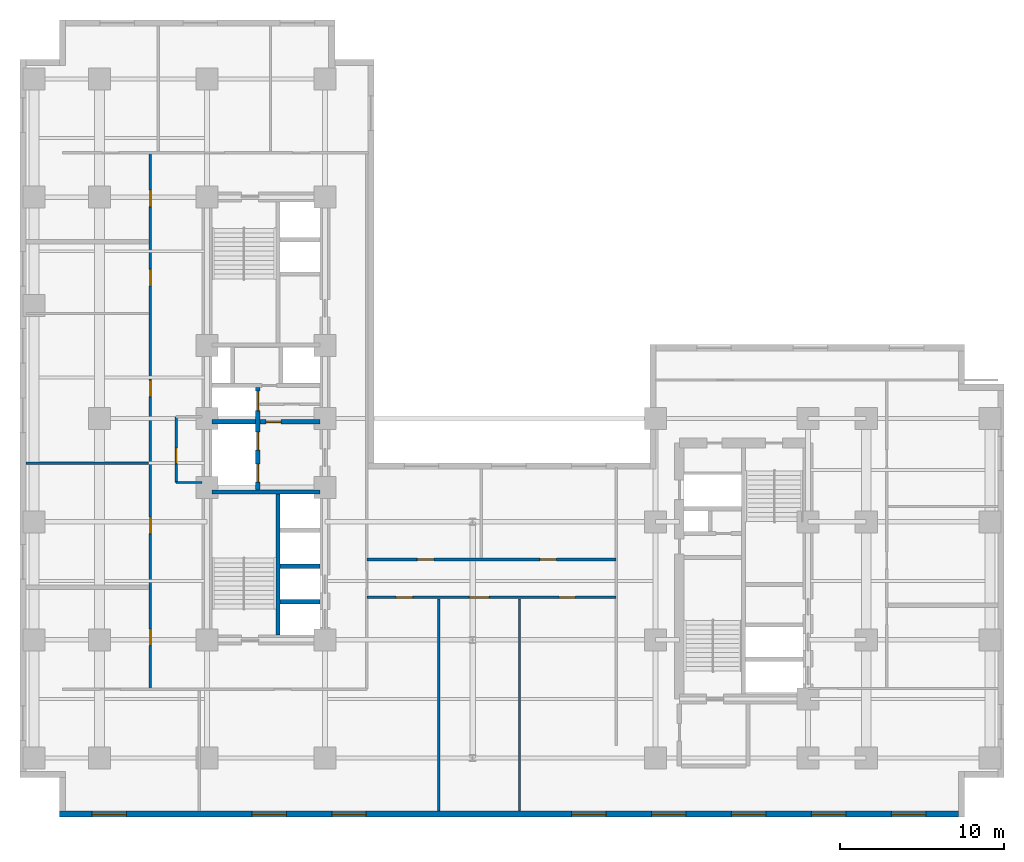
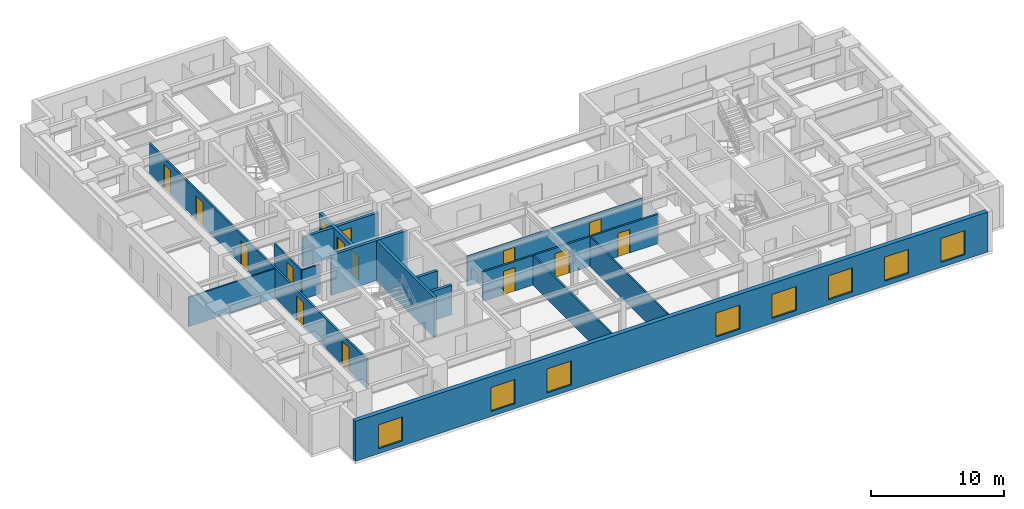
# One storey, part 3 of 9: 15 doors, 15 walls, 8 windows, 23 openings.
"""IFC4 building model written with IfcOpenShell, lengths in metres."""

from ifc_helpers import new_model, entity, si_unit, converted_unit, direction, frame, origin_with_axes, origin_2d_with_axis, place, context, subcontext, project, spatial, polyline, rectangle, outline, extrude, material, layer, layer_set, type_object, element, fill, save


model = new_model("IFC4")

# Units and contexts
model_context = context("Model", 3, precision=1e-05, world=origin_with_axes(), true_north=direction((0.0, 1.0)))
body_context = subcontext(model_context, "Body", "Model", "MODEL_VIEW")
ifc_project = project(units=[si_unit("LENGTHUNIT", "METRE"), si_unit("AREAUNIT", "SQUARE_METRE"), si_unit("VOLUMEUNIT", "CUBIC_METRE"), converted_unit("PLANEANGLEUNIT", "DEGREE", entity("IfcPlaneAngleMeasure", 0.017453292519943295), si_unit("PLANEANGLEUNIT", "RADIAN"), dimensions=[0, 0, 0, 0, 0, 0, 0]), si_unit("MASSUNIT", "GRAM", prefix="KILO"), si_unit("THERMODYNAMICTEMPERATUREUNIT", "KELVIN")], contexts=[model_context])

# Site, building, storey
site_placement = place(None, origin_with_axes())
site = spatial("IfcSite", under=ifc_project, at=site_placement, CompositionType="ELEMENT")
building_placement = place(site_placement, origin_with_axes())
building = spatial("IfcBuilding", under=site, at=building_placement, Name="Varnlund Millrace Tower", CompositionType="ELEMENT")
storey_placement = place(building_placement, frame((0.0, 0.0, 56.1), z_axis=(0.0, 0.0, 1.0), x_axis=(1.0, 0.0, 0.0)))
storey = spatial("IfcBuildingStorey", under=building, at=storey_placement, Name="L13", CompositionType="ELEMENT", Elevation=56.1)

# Wall, openings, windows
ifc_material_1 = material(Name="Precast concrete C50/60", Category="concrete")
ifc_layer_1 = layer(ifc_material_1, 0.38, Name="Precast concrete C50/60")
ifc_layer_set_1 = layer_set([ifc_layer_1], Name="Precast concrete C50/60")
wall_type_1 = type_object("IfcWallType", Name="Type-ExtWall-Precast-Tube-380", PredefinedType="SOLIDWALL", material=ifc_layer_set_1)
wall_1_placement = place(storey_placement, frame((57.22, 0.19, 0.0), z_axis=(0.0, 0.0, 1.0), x_axis=(-1.0, 0.0, 0.0)))
wall_1 = element("IfcWall", 1, at=wall_1_placement, inside=storey, type_object=wall_type_1, Name="Type-ExtWall-Precast-Tube-380", PredefinedType="SOLIDWALL", context=body_context, shape_type="SweptSolid", body=[
    extrude(outline(polyline([(0.0, -0.19), (54.82, -0.19), (54.82, 0.19), (0.0, 0.19), (0.0, -0.19)])), origin_with_axes(), (0.0, 0.0, 1.0), 3.66),
])
opening_1_placement = place(wall_1_placement, frame((3.037, 0.0, 0.45), z_axis=(0.0, 0.0, 1.0), x_axis=(1.0, 0.0, 0.0)))
opening_1 = element("IfcOpeningElement", 2, at=opening_1_placement, cuts=wall_1, Name="Opening L13:WN-06", PredefinedType="OPENING", context=body_context, shape_type="SweptSolid", body=[
    extrude(rectangle(XDim=2.1, YDim=0.4, at=origin_2d_with_axis()), origin_with_axes(), (0.0, 0.0, 1.0), 2.2),
])
opening_2_placement = place(wall_1_placement, frame((7.912, 0.0, 0.45), z_axis=(0.0, 0.0, 1.0), x_axis=(1.0, 0.0, 0.0)))
opening_2 = element("IfcOpeningElement", 3, at=opening_2_placement, cuts=wall_1, Name="Opening L13:WN-07", PredefinedType="OPENING", context=body_context, shape_type="SweptSolid", body=[
    extrude(rectangle(XDim=2.1, YDim=0.4, at=origin_2d_with_axis()), origin_with_axes(), (0.0, 0.0, 1.0), 2.2),
])
opening_3_placement = place(wall_1_placement, frame((12.786, 0.0, 0.45), z_axis=(0.0, 0.0, 1.0), x_axis=(1.0, 0.0, 0.0)))
opening_3 = element("IfcOpeningElement", 4, at=opening_3_placement, cuts=wall_1, Name="Opening L13:WN-08", PredefinedType="OPENING", context=body_context, shape_type="SweptSolid", body=[
    extrude(rectangle(XDim=2.1, YDim=0.4, at=origin_2d_with_axis()), origin_with_axes(), (0.0, 0.0, 1.0), 2.2),
])
opening_4_placement = place(wall_1_placement, frame((17.661, 0.0, 0.45), z_axis=(0.0, 0.0, 1.0), x_axis=(1.0, 0.0, 0.0)))
opening_4 = element("IfcOpeningElement", 5, at=opening_4_placement, cuts=wall_1, Name="Opening L13:WN-09", PredefinedType="OPENING", context=body_context, shape_type="SweptSolid", body=[
    extrude(rectangle(XDim=2.1, YDim=0.4, at=origin_2d_with_axis()), origin_with_axes(), (0.0, 0.0, 1.0), 2.2),
])
opening_5_placement = place(wall_1_placement, frame((22.535, 0.0, 0.45), z_axis=(0.0, 0.0, 1.0), x_axis=(1.0, 0.0, 0.0)))
opening_5 = element("IfcOpeningElement", 6, at=opening_5_placement, cuts=wall_1, Name="Opening L13:WN-10", PredefinedType="OPENING", context=body_context, shape_type="SweptSolid", body=[
    extrude(rectangle(XDim=2.1, YDim=0.4, at=origin_2d_with_axis()), origin_with_axes(), (0.0, 0.0, 1.0), 2.2),
])
opening_6_placement = place(wall_1_placement, frame((37.159, 0.0, 0.45), z_axis=(0.0, 0.0, 1.0), x_axis=(1.0, 0.0, 0.0)))
opening_6 = element("IfcOpeningElement", 7, at=opening_6_placement, cuts=wall_1, Name="Opening L13:WN-11", PredefinedType="OPENING", context=body_context, shape_type="SweptSolid", body=[
    extrude(rectangle(XDim=2.1, YDim=0.4, at=origin_2d_with_axis()), origin_with_axes(), (0.0, 0.0, 1.0), 2.2),
])
opening_7_placement = place(wall_1_placement, frame((42.034, 0.0, 0.45), z_axis=(0.0, 0.0, 1.0), x_axis=(1.0, 0.0, 0.0)))
opening_7 = element("IfcOpeningElement", 8, at=opening_7_placement, cuts=wall_1, Name="Opening L13:WN-12", PredefinedType="OPENING", context=body_context, shape_type="SweptSolid", body=[
    extrude(rectangle(XDim=2.1, YDim=0.4, at=origin_2d_with_axis()), origin_with_axes(), (0.0, 0.0, 1.0), 2.2),
])
opening_8_placement = place(wall_1_placement, frame((51.783, 0.0, 0.45), z_axis=(0.0, 0.0, 1.0), x_axis=(1.0, 0.0, 0.0)))
opening_8 = element("IfcOpeningElement", 9, at=opening_8_placement, cuts=wall_1, Name="Opening L13:WN-13", PredefinedType="OPENING", context=body_context, shape_type="SweptSolid", body=[
    extrude(rectangle(XDim=2.1, YDim=0.4, at=origin_2d_with_axis()), origin_with_axes(), (0.0, 0.0, 1.0), 2.2),
])
ifc_material_2 = material(Name="Argon low-e triple glazing in thermally broken bronze frame", Category="glass")
window_type = type_object("IfcWindowType", Name="Type-Window-Punched-2100X2200", PartitioningType="SINGLE_PANEL", PredefinedType="WINDOW", material=ifc_material_2)
window_1_placement = place(wall_1_placement, frame((3.037, 0.0, 0.45), z_axis=(0.0, 0.0, 1.0), x_axis=(1.0, 0.0, 0.0)))
window_1 = element("IfcWindow", 10, at=window_1_placement, inside=storey, type_object=window_type, Name="Type-Window-Punched-2100X2200", OverallHeight=2.2, OverallWidth=2.1, PredefinedType="WINDOW", context=body_context, shape_type="SweptSolid", body=[
    extrude(rectangle(XDim=2.1, YDim=0.09, at=origin_2d_with_axis()), origin_with_axes(), (0.0, 0.0, 1.0), 2.2),
])
fill(opening_1, window_1)
window_2_placement = place(wall_1_placement, frame((7.912, 0.0, 0.45), z_axis=(0.0, 0.0, 1.0), x_axis=(1.0, 0.0, 0.0)))
window_2 = element("IfcWindow", 11, at=window_2_placement, inside=storey, type_object=window_type, Name="Type-Window-Punched-2100X2200", OverallHeight=2.2, OverallWidth=2.1, PredefinedType="WINDOW", context=body_context, shape_type="SweptSolid", body=[
    extrude(rectangle(XDim=2.1, YDim=0.09, at=origin_2d_with_axis()), origin_with_axes(), (0.0, 0.0, 1.0), 2.2),
])
fill(opening_2, window_2)
window_3_placement = place(wall_1_placement, frame((12.786, 0.0, 0.45), z_axis=(0.0, 0.0, 1.0), x_axis=(1.0, 0.0, 0.0)))
window_3 = element("IfcWindow", 12, at=window_3_placement, inside=storey, type_object=window_type, Name="Type-Window-Punched-2100X2200", OverallHeight=2.2, OverallWidth=2.1, PredefinedType="WINDOW", context=body_context, shape_type="SweptSolid", body=[
    extrude(rectangle(XDim=2.1, YDim=0.09, at=origin_2d_with_axis()), origin_with_axes(), (0.0, 0.0, 1.0), 2.2),
])
fill(opening_3, window_3)
window_4_placement = place(wall_1_placement, frame((17.661, 0.0, 0.45), z_axis=(0.0, 0.0, 1.0), x_axis=(1.0, 0.0, 0.0)))
window_4 = element("IfcWindow", 13, at=window_4_placement, inside=storey, type_object=window_type, Name="Type-Window-Punched-2100X2200", OverallHeight=2.2, OverallWidth=2.1, PredefinedType="WINDOW", context=body_context, shape_type="SweptSolid", body=[
    extrude(rectangle(XDim=2.1, YDim=0.09, at=origin_2d_with_axis()), origin_with_axes(), (0.0, 0.0, 1.0), 2.2),
])
fill(opening_4, window_4)
window_5_placement = place(wall_1_placement, frame((22.535, 0.0, 0.45), z_axis=(0.0, 0.0, 1.0), x_axis=(1.0, 0.0, 0.0)))
window_5 = element("IfcWindow", 14, at=window_5_placement, inside=storey, type_object=window_type, Name="Type-Window-Punched-2100X2200", OverallHeight=2.2, OverallWidth=2.1, PredefinedType="WINDOW", context=body_context, shape_type="SweptSolid", body=[
    extrude(rectangle(XDim=2.1, YDim=0.09, at=origin_2d_with_axis()), origin_with_axes(), (0.0, 0.0, 1.0), 2.2),
])
fill(opening_5, window_5)
window_6_placement = place(wall_1_placement, frame((37.159, 0.0, 0.45), z_axis=(0.0, 0.0, 1.0), x_axis=(1.0, 0.0, 0.0)))
window_6 = element("IfcWindow", 15, at=window_6_placement, inside=storey, type_object=window_type, Name="Type-Window-Punched-2100X2200", OverallHeight=2.2, OverallWidth=2.1, PredefinedType="WINDOW", context=body_context, shape_type="SweptSolid", body=[
    extrude(rectangle(XDim=2.1, YDim=0.09, at=origin_2d_with_axis()), origin_with_axes(), (0.0, 0.0, 1.0), 2.2),
])
fill(opening_6, window_6)
window_7_placement = place(wall_1_placement, frame((42.034, 0.0, 0.45), z_axis=(0.0, 0.0, 1.0), x_axis=(1.0, 0.0, 0.0)))
window_7 = element("IfcWindow", 16, at=window_7_placement, inside=storey, type_object=window_type, Name="Type-Window-Punched-2100X2200", OverallHeight=2.2, OverallWidth=2.1, PredefinedType="WINDOW", context=body_context, shape_type="SweptSolid", body=[
    extrude(rectangle(XDim=2.1, YDim=0.09, at=origin_2d_with_axis()), origin_with_axes(), (0.0, 0.0, 1.0), 2.2),
])
fill(opening_7, window_7)
window_8_placement = place(wall_1_placement, frame((51.783, 0.0, 0.45), z_axis=(0.0, 0.0, 1.0), x_axis=(1.0, 0.0, 0.0)))
window_8 = element("IfcWindow", 17, at=window_8_placement, inside=storey, type_object=window_type, Name="Type-Window-Punched-2100X2200", OverallHeight=2.2, OverallWidth=2.1, PredefinedType="WINDOW", context=body_context, shape_type="SweptSolid", body=[
    extrude(rectangle(XDim=2.1, YDim=0.09, at=origin_2d_with_axis()), origin_with_axes(), (0.0, 0.0, 1.0), 2.2),
])
fill(opening_8, window_8)

# Wall, openings, doors
ifc_material_3 = material(Name="Fire-rated gypsum board on cold-formed steel framing", Category="steel")
ifc_layer_2 = layer(ifc_material_3, 0.16, Name="Fire-rated gypsum board on cold-formed steel framing")
ifc_layer_set_2 = layer_set([ifc_layer_2], Name="Fire-rated gypsum board on cold-formed steel framing")
wall_type_2 = type_object("IfcWallType", Name="Type-Partition-Corridor-160", PredefinedType="PARTITIONING", material=ifc_layer_set_2)
wall_2_placement = place(storey_placement, frame((7.95, 7.8, 0.0), z_axis=(0.0, 0.0, 1.0), x_axis=(0.0, 1.0, 0.0)))
wall_2 = element("IfcWall", 18, at=wall_2_placement, inside=storey, type_object=wall_type_2, Name="Type-Partition-Corridor-160", PredefinedType="PARTITIONING", context=body_context, shape_type="SweptSolid", body=[
    extrude(outline(polyline([(0.0, -0.08), (32.7, -0.08), (32.7, 0.08), (0.0, 0.08), (0.0, -0.08)])), origin_with_axes(), (0.0, 0.0, 1.0), 2.7),
])
opening_9_placement = place(wall_2_placement, frame((3.1655, 0.0, 0.0), z_axis=(0.0, 0.0, 1.0), x_axis=(1.0, 0.0, 0.0)))
opening_9 = element("IfcOpeningElement", 19, at=opening_9_placement, cuts=wall_2, Name="Opening L13:DR-W-01", PredefinedType="OPENING", context=body_context, shape_type="SweptSolid", body=[
    extrude(rectangle(XDim=1.0, YDim=0.18, at=origin_2d_with_axis()), origin_with_axes(), (0.0, 0.0, 1.0), 2.15),
])
opening_10_placement = place(wall_2_placement, frame((9.9865, 0.0, 0.0), z_axis=(0.0, 0.0, 1.0), x_axis=(1.0, 0.0, 0.0)))
opening_10 = element("IfcOpeningElement", 20, at=opening_10_placement, cuts=wall_2, Name="Opening L13:DR-W-02", PredefinedType="OPENING", context=body_context, shape_type="SweptSolid", body=[
    extrude(rectangle(XDim=1.0, YDim=0.18, at=origin_2d_with_axis()), origin_with_axes(), (0.0, 0.0, 1.0), 2.15),
])
opening_11_placement = place(wall_2_placement, frame((18.332, 0.0, 0.0), z_axis=(0.0, 0.0, 1.0), x_axis=(1.0, 0.0, 0.0)))
opening_11 = element("IfcOpeningElement", 21, at=opening_11_placement, cuts=wall_2, Name="Opening L13:DR-W-03", PredefinedType="OPENING", context=body_context, shape_type="SweptSolid", body=[
    extrude(rectangle(XDim=1.0, YDim=0.18, at=origin_2d_with_axis()), origin_with_axes(), (0.0, 0.0, 1.0), 2.15),
])
opening_12_placement = place(wall_2_placement, frame((25.088, 0.0, 0.0), z_axis=(0.0, 0.0, 1.0), x_axis=(1.0, 0.0, 0.0)))
opening_12 = element("IfcOpeningElement", 22, at=opening_12_placement, cuts=wall_2, Name="Opening L13:DR-W-04", PredefinedType="OPENING", context=body_context, shape_type="SweptSolid", body=[
    extrude(rectangle(XDim=1.0, YDim=0.18, at=origin_2d_with_axis()), origin_with_axes(), (0.0, 0.0, 1.0), 2.15),
])
opening_13_placement = place(wall_2_placement, frame((29.927, 0.0, 0.0), z_axis=(0.0, 0.0, 1.0), x_axis=(1.0, 0.0, 0.0)))
opening_13 = element("IfcOpeningElement", 23, at=opening_13_placement, cuts=wall_2, Name="Opening L13:DR-W-05", PredefinedType="OPENING", context=body_context, shape_type="SweptSolid", body=[
    extrude(rectangle(XDim=1.0, YDim=0.18, at=origin_2d_with_axis()), origin_with_axes(), (0.0, 0.0, 1.0), 2.15),
])
ifc_material_4 = material(Name="Solid-core white oak and bronze frame door")
door_type_1 = type_object("IfcDoorType", Name="Type-IntDoor-Office-1000X2150", OperationType="NOTDEFINED", PredefinedType="DOOR", material=ifc_material_4)
door_1_placement = place(wall_2_placement, frame((3.1655, 0.0, 0.0), z_axis=(0.0, 0.0, 1.0), x_axis=(1.0, 0.0, 0.0)))
door_1 = element("IfcDoor", 24, at=door_1_placement, inside=storey, type_object=door_type_1, Name="Type-IntDoor-Office-1000X2150", OperationType="SINGLE_SWING_LEFT", OverallHeight=2.15, OverallWidth=1.0, PredefinedType="DOOR", context=body_context, shape_type="SweptSolid", body=[
    extrude(rectangle(XDim=1.0, YDim=0.09, at=origin_2d_with_axis()), origin_with_axes(), (0.0, 0.0, 1.0), 2.15),
])
fill(opening_9, door_1)
door_2_placement = place(wall_2_placement, frame((9.9865, 0.0, 0.0), z_axis=(0.0, 0.0, 1.0), x_axis=(1.0, 0.0, 0.0)))
door_2 = element("IfcDoor", 25, at=door_2_placement, inside=storey, type_object=door_type_1, Name="Type-IntDoor-Office-1000X2150", OperationType="SINGLE_SWING_RIGHT", OverallHeight=2.15, OverallWidth=1.0, PredefinedType="DOOR", context=body_context, shape_type="SweptSolid", body=[
    extrude(rectangle(XDim=1.0, YDim=0.09, at=origin_2d_with_axis()), origin_with_axes(), (0.0, 0.0, 1.0), 2.15),
])
fill(opening_10, door_2)
door_3_placement = place(wall_2_placement, frame((18.332, 0.0, 0.0), z_axis=(0.0, 0.0, 1.0), x_axis=(1.0, 0.0, 0.0)))
door_3 = element("IfcDoor", 26, at=door_3_placement, inside=storey, type_object=door_type_1, Name="Type-IntDoor-Office-1000X2150", OperationType="SINGLE_SWING_LEFT", OverallHeight=2.15, OverallWidth=1.0, PredefinedType="DOOR", context=body_context, shape_type="SweptSolid", body=[
    extrude(rectangle(XDim=1.0, YDim=0.09, at=origin_2d_with_axis()), origin_with_axes(), (0.0, 0.0, 1.0), 2.15),
])
fill(opening_11, door_3)
door_4_placement = place(wall_2_placement, frame((25.088, 0.0, 0.0), z_axis=(0.0, 0.0, 1.0), x_axis=(1.0, 0.0, 0.0)))
door_4 = element("IfcDoor", 27, at=door_4_placement, inside=storey, type_object=door_type_1, Name="Type-IntDoor-Office-1000X2150", OperationType="SINGLE_SWING_RIGHT", OverallHeight=2.15, OverallWidth=1.0, PredefinedType="DOOR", context=body_context, shape_type="SweptSolid", body=[
    extrude(rectangle(XDim=1.0, YDim=0.09, at=origin_2d_with_axis()), origin_with_axes(), (0.0, 0.0, 1.0), 2.15),
])
fill(opening_12, door_4)
door_5_placement = place(wall_2_placement, frame((29.927, 0.0, 0.0), z_axis=(0.0, 0.0, 1.0), x_axis=(1.0, 0.0, 0.0)))
door_5 = element("IfcDoor", 28, at=door_5_placement, inside=storey, type_object=door_type_1, Name="Type-IntDoor-Office-1000X2150", OperationType="SINGLE_SWING_LEFT", OverallHeight=2.15, OverallWidth=1.0, PredefinedType="DOOR", context=body_context, shape_type="SweptSolid", body=[
    extrude(rectangle(XDim=1.0, YDim=0.09, at=origin_2d_with_axis()), origin_with_axes(), (0.0, 0.0, 1.0), 2.15),
])
fill(opening_13, door_5)

wall_3_placement = place(storey_placement, frame((21.15, 13.4, 0.0), z_axis=(0.0, 0.0, 1.0), x_axis=(1.0, 0.0, 0.0)))
wall_3 = element("IfcWall", 29, at=wall_3_placement, inside=storey, type_object=wall_type_2, Name="Type-Partition-Corridor-160", PredefinedType="PARTITIONING", context=body_context, shape_type="SweptSolid", body=[
    extrude(outline(polyline([(0.0, -0.08), (15.2, -0.08), (15.2, 0.08), (0.0, 0.08), (0.0, -0.08)])), origin_with_axes(), (0.0, 0.0, 1.0), 2.7),
])
opening_14_placement = place(wall_3_placement, frame((2.2835, 0.0, 0.0), z_axis=(0.0, 0.0, 1.0), x_axis=(1.0, 0.0, 0.0)))
opening_14 = element("IfcOpeningElement", 30, at=opening_14_placement, cuts=wall_3, Name="Opening L13:DR-KNS-01", PredefinedType="OPENING", context=body_context, shape_type="SweptSolid", body=[
    extrude(rectangle(XDim=1.0, YDim=0.18, at=origin_2d_with_axis()), origin_with_axes(), (0.0, 0.0, 1.0), 2.15),
])
opening_15_placement = place(wall_3_placement, frame((6.8525, 0.0, 0.0), z_axis=(0.0, 0.0, 1.0), x_axis=(1.0, 0.0, 0.0)))
opening_15 = element("IfcOpeningElement", 31, at=opening_15_placement, cuts=wall_3, Name="Opening L13:DR-KNS-02", PredefinedType="OPENING", context=body_context, shape_type="SweptSolid", body=[
    extrude(rectangle(XDim=1.2, YDim=0.18, at=origin_2d_with_axis()), origin_with_axes(), (0.0, 0.0, 1.0), 2.2),
])
opening_16_placement = place(wall_3_placement, frame((12.219, 0.0, 0.0), z_axis=(0.0, 0.0, 1.0), x_axis=(1.0, 0.0, 0.0)))
opening_16 = element("IfcOpeningElement", 32, at=opening_16_placement, cuts=wall_3, Name="Opening L13:DR-KNS-03", PredefinedType="OPENING", context=body_context, shape_type="SweptSolid", body=[
    extrude(rectangle(XDim=1.0, YDim=0.18, at=origin_2d_with_axis()), origin_with_axes(), (0.0, 0.0, 1.0), 2.15),
])
ifc_material_5 = material(Name="Wide executive white oak acoustic door")
door_type_2 = type_object("IfcDoorType", Name="Type-IntDoor-Exec-1200X2200", OperationType="NOTDEFINED", PredefinedType="DOOR", material=ifc_material_5)
door_6_placement = place(wall_3_placement, frame((6.8525, 0.0, 0.0), z_axis=(0.0, 0.0, 1.0), x_axis=(1.0, 0.0, 0.0)))
door_6 = element("IfcDoor", 33, at=door_6_placement, inside=storey, type_object=door_type_2, Name="Type-IntDoor-Exec-1200X2200", OperationType="SINGLE_SWING_RIGHT", OverallHeight=2.2, OverallWidth=1.2, PredefinedType="DOOR", context=body_context, shape_type="SweptSolid", body=[
    extrude(rectangle(XDim=1.2, YDim=0.09, at=origin_2d_with_axis()), origin_with_axes(), (0.0, 0.0, 1.0), 2.2),
])
fill(opening_15, door_6)
door_7_placement = place(wall_3_placement, frame((2.2835, 0.0, 0.0), z_axis=(0.0, 0.0, 1.0), x_axis=(1.0, 0.0, 0.0)))
door_7 = element("IfcDoor", 34, at=door_7_placement, inside=storey, type_object=door_type_1, Name="Type-IntDoor-Office-1000X2150", OperationType="SINGLE_SWING_LEFT", OverallHeight=2.15, OverallWidth=1.0, PredefinedType="DOOR", context=body_context, shape_type="SweptSolid", body=[
    extrude(rectangle(XDim=1.0, YDim=0.09, at=origin_2d_with_axis()), origin_with_axes(), (0.0, 0.0, 1.0), 2.15),
])
fill(opening_14, door_7)
door_8_placement = place(wall_3_placement, frame((12.219, 0.0, 0.0), z_axis=(0.0, 0.0, 1.0), x_axis=(1.0, 0.0, 0.0)))
door_8 = element("IfcDoor", 35, at=door_8_placement, inside=storey, type_object=door_type_1, Name="Type-IntDoor-Office-1000X2150", OperationType="SINGLE_SWING_LEFT", OverallHeight=2.15, OverallWidth=1.0, PredefinedType="DOOR", context=body_context, shape_type="SweptSolid", body=[
    extrude(rectangle(XDim=1.0, YDim=0.09, at=origin_2d_with_axis()), origin_with_axes(), (0.0, 0.0, 1.0), 2.15),
])
fill(opening_16, door_8)

wall_4_placement = place(storey_placement, frame((21.15, 15.7, 0.0), z_axis=(0.0, 0.0, 1.0), x_axis=(1.0, 0.0, 0.0)))
wall_4 = element("IfcWall", 36, at=wall_4_placement, inside=storey, type_object=wall_type_2, Name="Type-Partition-Corridor-160", PredefinedType="PARTITIONING", context=body_context, shape_type="SweptSolid", body=[
    extrude(outline(polyline([(0.0, -0.08), (15.2, -0.08), (15.2, 0.08), (0.0, 0.08), (0.0, -0.08)])), origin_with_axes(), (0.0, 0.0, 1.0), 2.7),
])
opening_17_placement = place(wall_4_placement, frame((3.5825, 0.0, 0.0), z_axis=(0.0, 0.0, 1.0), x_axis=(1.0, 0.0, 0.0)))
opening_17 = element("IfcOpeningElement", 37, at=opening_17_placement, cuts=wall_4, Name="Opening L13:DR-KN-01", PredefinedType="OPENING", context=body_context, shape_type="SweptSolid", body=[
    extrude(rectangle(XDim=1.0, YDim=0.18, at=origin_2d_with_axis()), origin_with_axes(), (0.0, 0.0, 1.0), 2.15),
])
opening_18_placement = place(wall_4_placement, frame((11.0525, 0.0, 0.0), z_axis=(0.0, 0.0, 1.0), x_axis=(1.0, 0.0, 0.0)))
opening_18 = element("IfcOpeningElement", 38, at=opening_18_placement, cuts=wall_4, Name="Opening L13:DR-KN-02", PredefinedType="OPENING", context=body_context, shape_type="SweptSolid", body=[
    extrude(rectangle(XDim=1.0, YDim=0.18, at=origin_2d_with_axis()), origin_with_axes(), (0.0, 0.0, 1.0), 2.15),
])
door_9_placement = place(wall_4_placement, frame((3.5825, 0.0, 0.0), z_axis=(0.0, 0.0, 1.0), x_axis=(1.0, 0.0, 0.0)))
door_9 = element("IfcDoor", 39, at=door_9_placement, inside=storey, type_object=door_type_1, Name="Type-IntDoor-Office-1000X2150", OperationType="SINGLE_SWING_LEFT", OverallHeight=2.15, OverallWidth=1.0, PredefinedType="DOOR", context=body_context, shape_type="SweptSolid", body=[
    extrude(rectangle(XDim=1.0, YDim=0.09, at=origin_2d_with_axis()), origin_with_axes(), (0.0, 0.0, 1.0), 2.15),
])
fill(opening_17, door_9)
door_10_placement = place(wall_4_placement, frame((11.0525, 0.0, 0.0), z_axis=(0.0, 0.0, 1.0), x_axis=(1.0, 0.0, 0.0)))
door_10 = element("IfcDoor", 40, at=door_10_placement, inside=storey, type_object=door_type_1, Name="Type-IntDoor-Office-1000X2150", OperationType="SINGLE_SWING_RIGHT", OverallHeight=2.15, OverallWidth=1.0, PredefinedType="DOOR", context=body_context, shape_type="SweptSolid", body=[
    extrude(rectangle(XDim=1.0, YDim=0.09, at=origin_2d_with_axis()), origin_with_axes(), (0.0, 0.0, 1.0), 2.15),
])
fill(opening_18, door_10)

# Walls
ifc_material_6 = material(Name="Acoustic STC-50 gypsum board partition", Category="gypsum")
ifc_layer_3 = layer(ifc_material_6, 0.15, Name="Acoustic STC-50 gypsum board partition")
ifc_layer_set_3 = layer_set([ifc_layer_3], Name="Acoustic STC-50 gypsum board partition")
wall_type_3 = type_object("IfcWallType", Name="Type-Partition-Demising-150", PredefinedType="PARTITIONING", material=ifc_layer_set_3)
wall_5_placement = place(storey_placement, frame((25.537, 0.36, 0.0), z_axis=(0.0, 0.0, 1.0), x_axis=(0.0, 1.0, 0.0)))
element("IfcWall", 41, at=wall_5_placement, inside=storey, type_object=wall_type_3, Name="Type-Partition-Demising-150", PredefinedType="PARTITIONING", context=body_context, shape_type="SweptSolid", body=[
    extrude(outline(polyline([(0.0, -0.075), (12.92, -0.075), (12.92, 0.075), (0.0, 0.075), (0.0, -0.075)])), origin_with_axes(), (0.0, 0.0, 1.0), 2.7),
])
ifc_material_7 = material(Name="Gypsum board tenant partition", Category="gypsum")
ifc_layer_4 = layer(ifc_material_7, 0.125, Name="Gypsum board tenant partition")
ifc_layer_set_4 = layer_set([ifc_layer_4], Name="Gypsum board tenant partition")
wall_type_4 = type_object("IfcWallType", Name="Type-Partition-Tenant-125", PredefinedType="PARTITIONING", material=ifc_layer_set_4)
wall_6_placement = place(storey_placement, frame((0.375, 21.572, 0.0), z_axis=(0.0, 0.0, 1.0), x_axis=(1.0, 0.0, 0.0)))
element("IfcWall", 42, at=wall_6_placement, inside=storey, type_object=wall_type_4, Name="Type-Partition-Tenant-125", PredefinedType="PARTITIONING", context=body_context, shape_type="SweptSolid", body=[
    extrude(outline(polyline([(0.0, -0.0625), (7.455, -0.0625), (7.455, 0.0625), (0.0, 0.0625), (0.0, -0.0625)])), origin_with_axes(), (0.0, 0.0, 1.0), 2.7),
])
wall_7_placement = place(storey_placement, frame((30.468, 0.36, 0.0), z_axis=(0.0, 0.0, 1.0), x_axis=(0.0, 1.0, 0.0)))
element("IfcWall", 43, at=wall_7_placement, inside=storey, type_object=wall_type_4, Name="Type-Partition-Tenant-125", PredefinedType="PARTITIONING", context=body_context, shape_type="SweptSolid", body=[
    extrude(outline(polyline([(0.0, -0.0625), (12.92, -0.0625), (12.92, 0.0625), (0.0, 0.0625), (0.0, -0.0625)])), origin_with_axes(), (0.0, 0.0, 1.0), 2.7),
])

# Wall, opening, door
ifc_material_8 = material(Name="Moisture-resistant gypsum restroom partition", Category="gypsum")
ifc_layer_5 = layer(ifc_material_8, 0.14, Name="Moisture-resistant gypsum restroom partition")
ifc_layer_set_5 = layer_set([ifc_layer_5], Name="Moisture-resistant gypsum restroom partition")
wall_type_5 = type_object("IfcWallType", Name="Type-Partition-Wet-140", PredefinedType="PARTITIONING", material=ifc_layer_set_5)
wall_8_placement = place(storey_placement, frame((9.52, 20.4, 0.0), z_axis=(0.0, 0.0, 1.0), x_axis=(0.0, 1.0, 0.0)))
wall_8 = element("IfcWall", 44, at=wall_8_placement, inside=storey, type_object=wall_type_5, Name="Type-Partition-Wet-140", PredefinedType="PARTITIONING", context=body_context, shape_type="SweptSolid", body=[
    extrude(outline(polyline([(0.0, -0.07), (4.0, -0.07), (4.0, 0.07), (0.0, 0.07), (0.0, -0.07)])), origin_with_axes(), (0.0, 0.0, 1.0), 2.7),
])
opening_19_placement = place(wall_8_placement, frame((1.625, 0.0, 0.0), z_axis=(0.0, 0.0, 1.0), x_axis=(1.0, 0.0, 0.0)))
opening_19 = element("IfcOpeningElement", 45, at=opening_19_placement, cuts=wall_8, Name="Opening L13:DR-CA-WCW", PredefinedType="OPENING", context=body_context, shape_type="SweptSolid", body=[
    extrude(rectangle(XDim=0.95, YDim=0.16, at=origin_2d_with_axis()), origin_with_axes(), (0.0, 0.0, 1.0), 2.15),
])
ifc_material_9 = material(Name="Solid-core acoustic office door")
door_type_3 = type_object("IfcDoorType", Name="Type-IntDoor-Tenant-950X2150", OperationType="NOTDEFINED", PredefinedType="DOOR", material=ifc_material_9)
door_11_placement = place(wall_8_placement, frame((1.625, 0.0, 0.0), z_axis=(0.0, 0.0, 1.0), x_axis=(1.0, 0.0, 0.0)))
door_11 = element("IfcDoor", 46, at=door_11_placement, inside=storey, type_object=door_type_3, Name="Type-IntDoor-Tenant-950X2150", OperationType="SINGLE_SWING_LEFT", OverallHeight=2.15, OverallWidth=0.95, PredefinedType="DOOR", context=body_context, shape_type="SweptSolid", body=[
    extrude(rectangle(XDim=0.95, YDim=0.084, at=origin_2d_with_axis()), origin_with_axes(), (0.0, 0.0, 1.0), 2.15),
])
fill(opening_19, door_11)

# Wall
wall_9_placement = place(storey_placement, frame((9.52, 20.4, 0.0), z_axis=(0.0, 0.0, 1.0), x_axis=(1.0, 0.0, 0.0)))
element("IfcWall", 47, at=wall_9_placement, inside=storey, type_object=wall_type_5, Name="Type-Partition-Wet-140", PredefinedType="PARTITIONING", context=body_context, shape_type="SweptSolid", body=[
    extrude(outline(polyline([(0.0, -0.07), (1.58, -0.07), (1.58, 0.07), (0.0, 0.07), (0.0, -0.07)])), origin_with_axes(), (0.0, 0.0, 1.0), 2.7),
])

# Wall, openings, doors
ifc_material_10 = material(Name="Concrete C60/75", Category="concrete")
ifc_layer_6 = layer(ifc_material_10, 0.25, Name="Concrete C60/75")
ifc_layer_set_6 = layer_set([ifc_layer_6], Name="Concrete C60/75")
wall_type_6 = type_object("IfcWallType", Name="Type-ShaftWall-Fire-250", PredefinedType="SOLIDWALL", material=ifc_layer_set_6)
wall_10_placement = place(storey_placement, frame((14.5, 19.95, 0.0), z_axis=(0.0, 0.0, 1.0), x_axis=(0.0, 1.0, 0.0)))
wall_10 = element("IfcWall", 48, at=wall_10_placement, inside=storey, type_object=wall_type_6, Name="Type-ShaftWall-Fire-250", PredefinedType="SOLIDWALL", context=body_context, shape_type="SweptSolid", body=[
    extrude(outline(polyline([(0.0, -0.125), (6.25, -0.125), (6.25, 0.125), (0.0, 0.125), (0.0, -0.125)])), origin_with_axes(), (0.0, 0.0, 1.0), 2.7),
])
opening_20_placement = place(wall_10_placement, frame((1.025, 0.0, 0.0), z_axis=(0.0, 0.0, 1.0), x_axis=(1.0, 0.0, 0.0)))
opening_20 = element("IfcOpeningElement", 49, at=opening_20_placement, cuts=wall_10, Name="Opening L13:LD-FSAE1", PredefinedType="OPENING", context=body_context, shape_type="SweptSolid", body=[
    extrude(rectangle(XDim=1.1, YDim=0.27, at=origin_2d_with_axis()), origin_with_axes(), (0.0, 0.0, 1.0), 2.15),
])
opening_21_placement = place(wall_10_placement, frame((2.975, 0.0, 0.0), z_axis=(0.0, 0.0, 1.0), x_axis=(1.0, 0.0, 0.0)))
opening_21 = element("IfcOpeningElement", 50, at=opening_21_placement, cuts=wall_10, Name="Opening L13:LD-FSAE2", PredefinedType="OPENING", context=body_context, shape_type="SweptSolid", body=[
    extrude(rectangle(XDim=1.1, YDim=0.27, at=origin_2d_with_axis()), origin_with_axes(), (0.0, 0.0, 1.0), 2.15),
])
opening_22_placement = place(wall_10_placement, frame((5.425, 0.0, 0.0), z_axis=(0.0, 0.0, 1.0), x_axis=(1.0, 0.0, 0.0)))
opening_22 = element("IfcOpeningElement", 51, at=opening_22_placement, cuts=wall_10, Name="Opening L13:LD-SRV1", PredefinedType="OPENING", context=body_context, shape_type="SweptSolid", body=[
    extrude(rectangle(XDim=1.2, YDim=0.27, at=origin_2d_with_axis()), origin_with_axes(), (0.0, 0.0, 1.0), 2.15),
])
ifc_material_11 = material(Name="Stainless and architectural bronze sliding landing door")
door_type_4 = type_object("IfcDoorType", Name="Type-LiftLandingDoor-1100X2150", OperationType="NOTDEFINED", PredefinedType="DOOR", material=ifc_material_11)
door_12_placement = place(wall_10_placement, frame((1.025, 0.0, 0.0), z_axis=(0.0, 0.0, 1.0), x_axis=(1.0, 0.0, 0.0)))
door_12 = element("IfcDoor", 52, at=door_12_placement, inside=storey, type_object=door_type_4, Name="Type-LiftLandingDoor-1100X2150", OperationType="SLIDING_TO_LEFT", OverallHeight=2.15, OverallWidth=1.1, PredefinedType="DOOR", context=body_context, shape_type="SweptSolid", body=[
    extrude(rectangle(XDim=1.1, YDim=0.09, at=origin_2d_with_axis()), origin_with_axes(), (0.0, 0.0, 1.0), 2.15),
])
fill(opening_20, door_12)
door_13_placement = place(wall_10_placement, frame((2.975, 0.0, 0.0), z_axis=(0.0, 0.0, 1.0), x_axis=(1.0, 0.0, 0.0)))
door_13 = element("IfcDoor", 53, at=door_13_placement, inside=storey, type_object=door_type_4, Name="Type-LiftLandingDoor-1100X2150", OperationType="SLIDING_TO_RIGHT", OverallHeight=2.15, OverallWidth=1.1, PredefinedType="DOOR", context=body_context, shape_type="SweptSolid", body=[
    extrude(rectangle(XDim=1.1, YDim=0.09, at=origin_2d_with_axis()), origin_with_axes(), (0.0, 0.0, 1.0), 2.15),
])
fill(opening_21, door_13)
ifc_material_12 = material(Name="Heavy-duty freight sliding landing door")
door_type_5 = type_object("IfcDoorType", Name="Type-LiftLandingDoor-Service-1200X2150", OperationType="NOTDEFINED", PredefinedType="DOOR", material=ifc_material_12)
door_14_placement = place(wall_10_placement, frame((5.425, 0.0, 0.0), z_axis=(0.0, 0.0, 1.0), x_axis=(1.0, 0.0, 0.0)))
door_14 = element("IfcDoor", 54, at=door_14_placement, inside=storey, type_object=door_type_5, Name="Type-LiftLandingDoor-Service-1200X2150", OperationType="DOUBLE_DOOR_SLIDING", OverallHeight=2.15, OverallWidth=1.2, PredefinedType="DOOR", context=body_context, shape_type="SweptSolid", body=[
    extrude(rectangle(XDim=1.2, YDim=0.09, at=origin_2d_with_axis()), origin_with_axes(), (0.0, 0.0, 1.0), 2.15),
])
fill(opening_22, door_14)

# Wall, opening, door
wall_11_placement = place(storey_placement, frame((11.7, 24.1, 0.0), z_axis=(0.0, 0.0, 1.0), x_axis=(1.0, 0.0, 0.0)))
wall_11 = element("IfcWall", 55, at=wall_11_placement, inside=storey, type_object=wall_type_6, Name="Type-ShaftWall-Fire-250", PredefinedType="SOLIDWALL", context=body_context, shape_type="SweptSolid", body=[
    extrude(outline(polyline([(0.0, -0.125), (6.6, -0.125), (6.6, 0.125), (0.0, 0.125), (0.0, -0.125)])), origin_with_axes(), (0.0, 0.0, 1.0), 2.7),
])
opening_23_placement = place(wall_11_placement, frame((3.75, 0.0, 0.0), z_axis=(0.0, 0.0, 1.0), x_axis=(1.0, 0.0, 0.0)))
opening_23 = element("IfcOpeningElement", 56, at=opening_23_placement, cuts=wall_11, Name="Opening L13:DR-CA-SUB1", PredefinedType="OPENING", context=body_context, shape_type="SweptSolid", body=[
    extrude(rectangle(XDim=0.9, YDim=0.27, at=origin_2d_with_axis()), origin_with_axes(), (0.0, 0.0, 1.0), 2.15),
])
ifc_material_13 = material(Name="Fire-rated hollow steel service closet door", Category="steel")
door_type_6 = type_object("IfcDoorType", Name="Type-FireDoor-Closet-900X2150", OperationType="NOTDEFINED", PredefinedType="DOOR", material=ifc_material_13)
door_15_placement = place(wall_11_placement, frame((3.75, 0.0, 0.0), z_axis=(0.0, 0.0, 1.0), x_axis=(1.0, 0.0, 0.0)))
door_15 = element("IfcDoor", 57, at=door_15_placement, inside=storey, type_object=door_type_6, Name="Type-FireDoor-Closet-900X2150", OperationType="SINGLE_SWING_LEFT", OverallHeight=2.15, OverallWidth=0.9, PredefinedType="DOOR", context=body_context, shape_type="SweptSolid", body=[
    extrude(rectangle(XDim=0.9, YDim=0.09, at=origin_2d_with_axis()), origin_with_axes(), (0.0, 0.0, 1.0), 2.15),
])
fill(opening_23, door_15)

# Walls
for number, where, z_axis, x_axis, name in (
    (58, (15.84, 13.13, 0.0), (0.0, 0.0, 1.0), (1.0, 0.0, 0.0), "Type-ShaftWall-Fire-250"),
    (59, (15.84, 15.29, 0.0), (0.0, 0.0, 1.0), (1.0, 0.0, 0.0), "Type-ShaftWall-Fire-250"),
):
    element("IfcWall", number, at=place(storey_placement, frame(where, z_axis=z_axis, x_axis=x_axis)), inside=storey, type_object=wall_type_6, Name=name, PredefinedType="SOLIDWALL", context=body_context, shape_type="SweptSolid", body=[
        extrude(outline(polyline([(0.0, -0.125), (2.46, -0.125), (2.46, 0.125), (0.0, 0.125), (0.0, -0.125)])), origin_with_axes(), (0.0, 0.0, 1.0), 2.7),
    ])
wall_type_7 = type_object("IfcWallType", Name="Type-StairWall-Shear-250", PredefinedType="SHEAR", material=ifc_layer_set_6)
wall_12_placement = place(storey_placement, frame((15.725, 11.1, 0.0), z_axis=(0.0, 0.0, 1.0), x_axis=(0.0, 1.0, 0.0)))
element("IfcWall", 60, at=wall_12_placement, inside=storey, type_object=wall_type_7, Name="Type-StairWall-Shear-250", PredefinedType="SHEAR", context=body_context, shape_type="SweptSolid", body=[
    extrude(outline(polyline([(0.0, -0.125), (8.6, -0.125), (8.6, 0.125), (0.0, 0.125), (0.0, -0.125)])), origin_with_axes(), (0.0, 0.0, 1.0), 3.66),
])
wall_13_placement = place(storey_placement, frame((11.7, 19.825, 0.0), z_axis=(0.0, 0.0, 1.0), x_axis=(1.0, 0.0, 0.0)))
element("IfcWall", 61, at=wall_13_placement, inside=storey, type_object=wall_type_7, Name="Type-StairWall-Shear-250", PredefinedType="SHEAR", context=body_context, shape_type="SweptSolid", body=[
    extrude(outline(polyline([(0.0, -0.125), (6.6, -0.125), (6.6, 0.125), (0.0, 0.125), (0.0, -0.125)])), origin_with_axes(), (0.0, 0.0, 1.0), 3.66),
])

save(model, "model.ifc")
